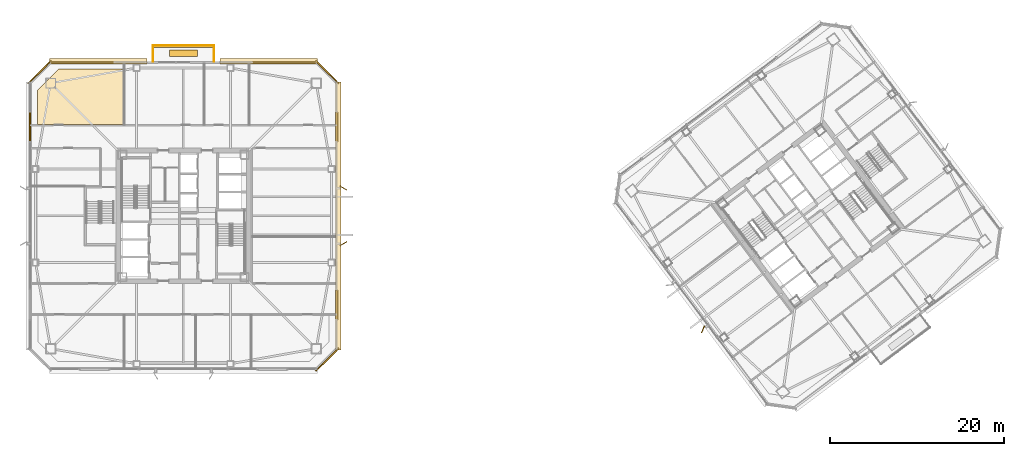
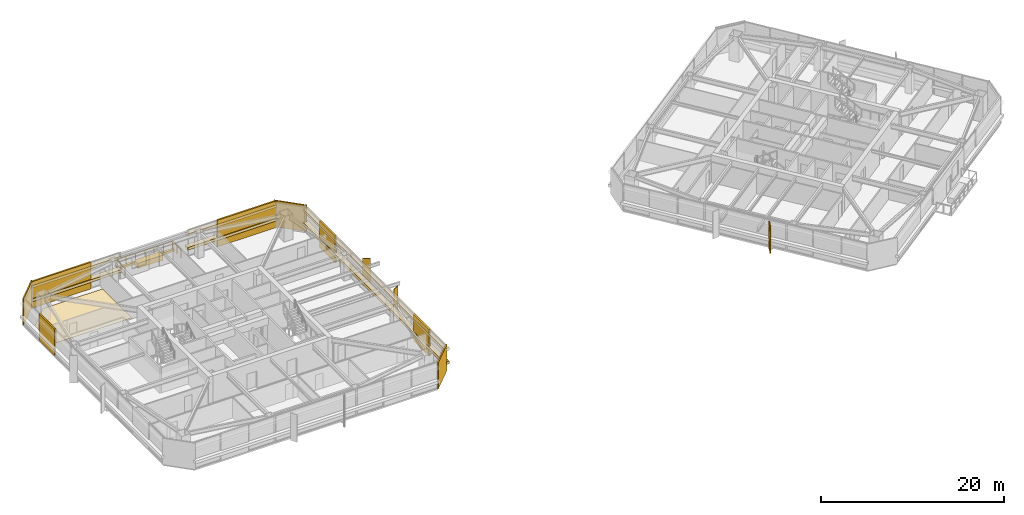
# One storey, part 43 of 46: 17 coverings, 3 railings, 3 shading devices.
"""IFC4 building model written with IfcOpenShell, lengths in metres."""

from ifc_helpers import new_model, si_unit, direction, frame, origin, origin_2d, place, context, subcontext, project, spatial, polyline, rectangle, outline, extrude, material, layer, layer_set, type_object, element, save


model = new_model("IFC4")

# Units and contexts
model_context = context("Model", 3, precision=1e-05, world=origin(), true_north=direction((0.0, 1.0)))
body_context = subcontext(model_context, "Body", "Model", "MODEL_VIEW")
ifc_project = project(units=[si_unit("LENGTHUNIT", "METRE"), si_unit("AREAUNIT", "SQUARE_METRE"), si_unit("VOLUMEUNIT", "CUBIC_METRE"), si_unit("PLANEANGLEUNIT", "RADIAN"), si_unit("MASSUNIT", "GRAM", prefix="KILO")], contexts=[model_context])

# Site, building, storey
site_placement = place(None, origin())
site = spatial("IfcSite", under=ifc_project, at=site_placement, CompositionType="ELEMENT")
building_placement = place(site_placement, origin())
building = spatial("IfcBuilding", under=site, at=building_placement, Name="Tashvorn Skyway Center", CompositionType="ELEMENT")
storey_placement = place(building_placement, frame((0.0, 0.0, 167.64990234375)))
storey = spatial("IfcBuildingStorey", under=building, at=storey_placement, Name="L45", CompositionType="ELEMENT", Elevation=167.64990234375)

# Coverings
ifc_material_1 = material(Name="Precast concrete C40/50", Category="concrete")
ifc_layer_1 = layer(ifc_material_1, 0.199951171875)
ifc_layer_set_1 = layer_set([ifc_layer_1], Name="Precast concrete C40/50")
covering_type_1 = type_object("IfcCoveringType", Name="COV-BRACE-CLAD", PredefinedType="CLADDING", material=ifc_layer_set_1)
covering_1_placement = place(storey_placement, frame((24.320068359375, 42.25341796875, 0.0), z_axis=(0.0, 0.0, 1.0), x_axis=(0.0, 1.0, 0.0)))
element("IfcCovering", 1, at=covering_1_placement, inside=storey, type_object=covering_type_1, Name="Tower 1 L45 West Unitised Curtain Wall Mega-Brace Cladding Band 2", PredefinedType="CLADDING", context=body_context, shape_type="SweptSolid", body=[
    extrude(rectangle(XDim=3.417724609375, YDim=0.199951171875, at=origin_2d()), origin(), (0.0, 0.0, 1.0), 3.550048828125),
])
for number, where, z_axis, x_axis, name in (
    (2, (30.330078125, 49.679931640625, 0.0), (0.0, 0.0, 1.0), (1.0, 0.0, 0.0), "Tower 1 L45 North Curtain Wall L Mega-Brace Cladding Band 1"),
    (3, (53.669921875, 49.679931640625, 0.0), (0.0, 0.0, 1.0), (1.0, 0.0, 0.0), "Tower 1 L45 North Curtain Wall R Mega-Brace Cladding Band 1"),
):
    element("IfcCovering", number, at=place(storey_placement, frame(where, z_axis=z_axis, x_axis=x_axis)), inside=storey, type_object=covering_type_1, Name=name, PredefinedType="CLADDING", context=body_context, shape_type="SweptSolid", body=[
        extrude(rectangle(XDim=7.419921875, YDim=0.199951171875, at=origin_2d()), origin(), (0.0, 0.0, 1.0), 3.550048828125),
    ])
for number, where, z_axis, x_axis, name in (
    (4, (59.679931640625, 42.25341796875, 0.0), (0.0, 0.0, 1.0), (0.0, -1.0, 0.0), "Tower 1 L45 East Unitised Curtain Wall Mega-Brace Cladding Band 1"),
    (5, (59.679931640625, 21.74658203125, 0.0), (0.0, 0.0, 1.0), (0.0, -1.0, 0.0), "Tower 1 L45 East Unitised Curtain Wall Mega-Brace Cladding Band 2"),
):
    element("IfcCovering", number, at=place(storey_placement, frame(where, z_axis=z_axis, x_axis=x_axis)), inside=storey, type_object=covering_type_1, Name=name, PredefinedType="CLADDING", context=body_context, shape_type="SweptSolid", body=[
        extrude(rectangle(XDim=3.417724609375, YDim=0.199951171875, at=origin_2d()), origin(), (0.0, 0.0, 1.0), 3.550048828125),
    ])
ifc_material_2 = material(Name="Polished Mojave desert-aggregate terrazzo and cover plate")
ifc_layer_2 = layer(ifc_material_2, 0.0400390625)
ifc_layer_set_2 = layer_set([ifc_layer_2], Name="Polished Mojave desert-aggregate terrazzo and cover plate")
covering_type_2 = type_object("IfcCoveringType", Name="COV-FLR-40", PredefinedType="FLOORING", material=ifc_layer_set_2)
covering_2_placement = place(storey_placement, origin())
element("IfcCovering", 6, at=covering_2_placement, inside=storey, type_object=covering_type_2, Name="Tower 1 L45 Gallery Showroom Finish Flooring", PredefinedType="FLOORING", context=body_context, shape_type="SweptSolid", body=[
    extrude(outline(polyline([(35.1201171875, 42.530029296875), (25.179931640625, 42.530029296875), (25.179931640625, 46.47998046875), (27.60009765625, 48.89990234375), (35.1201171875, 48.89990234375), (35.1201171875, 42.530029296875)])), origin(), (0.0, 0.0, 1.0), 0.0400390625),
])
ifc_material_3 = material(Name="Perforated ceramic-coated bronze aluminium solar screen", Category="aluminium")
ifc_layer_3 = layer(ifc_material_3, 0.85009765625)
ifc_layer_set_3 = layer_set([ifc_layer_3], Name="Perforated ceramic-coated bronze aluminium solar screen")
covering_type_3 = type_object("IfcCoveringType", Name="COV-SOLAR-BAND", PredefinedType="CLADDING", material=ifc_layer_set_3)
for number, where, z_axis, x_axis, name in (
    (7, (32.18505859375, 49.820068359375, 0.919921875), (0.0, 0.0, 1.0), (1.0, 0.0, 0.0), "L45 Perforated Ceramic-Metal Solar Screen Louvre Band North 1"),
    (8, (32.18505859375, 49.820068359375, 2.72021484375), (0.0, 0.0, 1.0), (1.0, 0.0, 0.0), "L45 Perforated Ceramic-Metal Solar Screen Louvre Band North 2"),
    (9, (51.81494140625, 49.820068359375, 0.919921875), (0.0, 0.0, 1.0), (1.0, 0.0, 0.0), "L45 Perforated Ceramic-Metal Solar Screen Louvre Band North 1"),
    (10, (51.81494140625, 49.820068359375, 2.72021484375), (0.0, 0.0, 1.0), (1.0, 0.0, 0.0), "L45 Perforated Ceramic-Metal Solar Screen Louvre Band North 2"),
):
    element("IfcCovering", number, at=place(storey_placement, frame(where, z_axis=z_axis, x_axis=x_axis)), inside=storey, type_object=covering_type_3, Name=name, PredefinedType="CLADDING", context=body_context, shape_type="SweptSolid", body=[
        extrude(rectangle(XDim=11.25, YDim=0.639892578125, at=origin_2d()), origin(), (0.0, 0.0, 1.0), 0.360107421875),
    ])
for number, where, z_axis, x_axis, name in (
    (11, (59.820068359375, 32.0, 0.919921875), (0.0, 0.0, 1.0), (0.0, -1.0, 0.0), "L45 Perforated Ceramic-Metal Solar Screen Louvre Band East 1"),
    (12, (59.820068359375, 32.0, 2.72021484375), (0.0, 0.0, 1.0), (0.0, -1.0, 0.0), "L45 Perforated Ceramic-Metal Solar Screen Louvre Band East 2"),
):
    element("IfcCovering", number, at=place(storey_placement, frame(where, z_axis=z_axis, x_axis=x_axis)), inside=storey, type_object=covering_type_3, Name=name, PredefinedType="CLADDING", context=body_context, shape_type="SweptSolid", body=[
        extrude(rectangle(XDim=30.8798828125, YDim=0.639892578125, at=origin_2d()), origin(), (0.0, 0.0, 1.0), 0.360107421875),
    ])
ifc_layer_4 = layer(ifc_material_1, 0.35009765625)
ifc_layer_set_4 = layer_set([ifc_layer_4], Name="Precast concrete C40/50")
covering_type_4 = type_object("IfcCoveringType", Name="COV-STONE-TRIM", PredefinedType="CLADDING", material=ifc_layer_set_4)
covering_3_placement = place(storey_placement, frame((42.0, 51.56005859375, -0.16015625), z_axis=(0.0, 0.0, 1.0), x_axis=(1.0, 0.0, 0.0)))
element("IfcCovering", 13, at=covering_3_placement, inside=storey, type_object=covering_type_4, Name="Tower 1 L45 Spiral Terrace Terracotta Fascia", PredefinedType="CLADDING", context=body_context, shape_type="SweptSolid", body=[
    extrude(rectangle(XDim=7.199951171875, YDim=0.280029296875, at=origin_2d()), origin(), (0.0, 0.0, 1.0), 0.280029296875),
])
covering_4_placement = place(storey_placement, frame((42.0, 50.75, 0.0), z_axis=(0.0, 0.0, 1.0), x_axis=(1.0, 0.0, 0.0)))
element("IfcCovering", 14, at=covering_4_placement, inside=storey, type_object=covering_type_4, Name="Tower 1 L45 Spiral Terrace Planter", PredefinedType="CLADDING", context=body_context, shape_type="SweptSolid", body=[
    extrude(rectangle(XDim=3.199951171875, YDim=0.75, at=origin_2d()), origin(), (0.0, 0.0, 1.0), 0.679931640625),
])
for number, where, z_axis, x_axis, name in (
    (15, (25.429931640625, 48.570068359375, 0.02001953125), (0.0, 0.0, 1.0), (-0.707106781187, -0.707106781187, 0.0), "Tower 1 L45 NW Mojave Limestone Corner Quoin"),
    (16, (58.570068359375, 48.570068359375, 0.02001953125), (0.0, 0.0, 1.0), (0.707106781187, -0.707106781187, 0.0), "Tower 1 L45 NE Mojave Limestone Corner Quoin"),
    (17, (58.570068359375, 15.429931640625, 0.02001953125), (0.0, 0.0, 1.0), (0.707106781187, 0.707106781187, 0.0), "Tower 1 L45 SE Mojave Limestone Corner Quoin"),
):
    element("IfcCovering", number, at=place(storey_placement, frame(where, z_axis=z_axis, x_axis=x_axis)), inside=storey, type_object=covering_type_4, Name=name, PredefinedType="CLADDING", context=body_context, shape_type="SweptSolid", body=[
        extrude(rectangle(XDim=3.695556640625, YDim=0.139892578125, at=origin_2d()), origin(), (0.0, 0.0, 1.0), 3.510009765625),
    ])

# Railings
ifc_material_4 = material(Name="Galvanized steel S355", Category="steel")
railing_type = type_object("IfcRailingType", Name="RAIL-GUARD-1120", PredefinedType="GUARDRAIL", material=ifc_material_4)
railing_1_placement = place(storey_placement, frame((38.47998046875, 49.800048828125, 0.0)))
element("IfcRailing", 18, at=railing_1_placement, inside=storey, type_object=railing_type, Name="L45 Tower 1 Terrace Guardrail 01", PredefinedType="GUARDRAIL", context=body_context, shape_type="SweptSolid", body=[
    extrude(rectangle(XDim=0.048095703125, YDim=0.048095703125, at=origin_2d()), frame((0.0, 0.0, 1.09619140625), z_axis=(0.0, 1.0, 0.0), x_axis=(-1.0, 0.0, 0.0)), (0.0, 0.0, 1.0), 1.820068359375),
    extrude(rectangle(XDim=0.0419921875, YDim=0.0419921875, at=origin_2d()), origin(), (0.0, 0.0, 1.0), 1.072021484375),
    extrude(rectangle(XDim=0.0419921875, YDim=0.0419921875, at=origin_2d()), frame((0.0, 0.91015625, 0.0)), (0.0, 0.0, 1.0), 1.072021484375),
    extrude(rectangle(XDim=0.0419921875, YDim=0.0419921875, at=origin_2d()), frame((0.0, 1.820068359375, 0.0)), (0.0, 0.0, 1.0), 1.072021484375),
])
railing_2_placement = place(storey_placement, frame((38.47998046875, 51.6201171875, 0.0)))
element("IfcRailing", 19, at=railing_2_placement, inside=storey, type_object=railing_type, Name="L45 Tower 1 Terrace Guardrail 02", PredefinedType="GUARDRAIL", context=body_context, shape_type="SweptSolid", body=[
    extrude(rectangle(XDim=0.048095703125, YDim=0.048095703125, at=origin_2d()), frame((0.0, 0.0, 1.09619140625), z_axis=(1.0, 0.0, 0.0), x_axis=(0.0, 1.0, 0.0)), (0.0, 0.0, 1.0), 7.0400390625),
    extrude(rectangle(XDim=0.0419921875, YDim=0.0419921875, at=origin_2d()), origin(), (0.0, 0.0, 1.0), 1.072021484375),
    extrude(rectangle(XDim=0.0419921875, YDim=0.0419921875, at=origin_2d()), frame((1.17333984375, 0.0, 0.0)), (0.0, 0.0, 1.0), 1.072021484375),
    extrude(rectangle(XDim=0.0419921875, YDim=0.0419921875, at=origin_2d()), frame((2.3466796875, 0.0, 0.0)), (0.0, 0.0, 1.0), 1.072021484375),
    extrude(rectangle(XDim=0.0419921875, YDim=0.0419921875, at=origin_2d()), frame((3.52001953125, 0.0, 0.0)), (0.0, 0.0, 1.0), 1.072021484375),
    extrude(rectangle(XDim=0.0419921875, YDim=0.0419921875, at=origin_2d()), frame((4.693359375, 0.0, 0.0)), (0.0, 0.0, 1.0), 1.072021484375),
    extrude(rectangle(XDim=0.0419921875, YDim=0.0419921875, at=origin_2d()), frame((5.86669921875, 0.0, 0.0)), (0.0, 0.0, 1.0), 1.072021484375),
    extrude(rectangle(XDim=0.0419921875, YDim=0.0419921875, at=origin_2d()), frame((7.0400390625, 0.0, 0.0)), (0.0, 0.0, 1.0), 1.072021484375),
])
railing_3_placement = place(storey_placement, frame((45.52001953125, 51.6201171875, 0.0)))
element("IfcRailing", 20, at=railing_3_placement, inside=storey, type_object=railing_type, Name="L45 Tower 1 Terrace Guardrail 03", PredefinedType="GUARDRAIL", context=body_context, shape_type="SweptSolid", body=[
    extrude(rectangle(XDim=0.048095703125, YDim=0.048095703125, at=origin_2d()), frame((0.0, 0.0, 1.09619140625), z_axis=(0.0, -1.0, 0.0), x_axis=(1.0, 0.0, 0.0)), (0.0, 0.0, 1.0), 1.820068359375),
    extrude(rectangle(XDim=0.0419921875, YDim=0.0419921875, at=origin_2d()), origin(), (0.0, 0.0, 1.0), 1.072021484375),
    extrude(rectangle(XDim=0.0419921875, YDim=0.0419921875, at=origin_2d()), frame((0.0, -0.91015625, 0.0)), (0.0, 0.0, 1.0), 1.072021484375),
    extrude(rectangle(XDim=0.0419921875, YDim=0.0419921875, at=origin_2d()), frame((0.0, -1.820068359375, 0.0)), (0.0, 0.0, 1.0), 1.072021484375),
])

# Shading devices
ifc_layer_5 = layer(ifc_material_3, 0.06005859375)
ifc_layer_set_5 = layer_set([ifc_layer_5], Name="Perforated ceramic-coated bronze aluminium solar screen")
shading_device_type = type_object("IfcShadingDeviceType", Name="SHD-SOLAR-850", PredefinedType="USERDEFINED", material=ifc_layer_set_5)
for number, where, z_axis, x_axis, name in (
    (21, (60.449951171875, 28.800048828125, -0.099853515625), (0.0, 0.0, 1.0), (0.5, -0.866025403784, 0.0), "Tower 1 L45 Perforated Ceramic-Metal Solar Screen E1"),
    (22, (60.449951171875, 35.199951171875, -0.099853515625), (0.0, 0.0, 1.0), (-0.5, -0.866025403784, 0.0), "Tower 1 L45 Perforated Ceramic-Metal Solar Screen E2"),
    (23, (101.8798828125, 18.909912109375, -0.099853515625), (0.0, 0.0, 1.0), (-0.919615244699, 0.392820317343, 0.0), "Tower 2 L45 Perforated Ceramic-Metal Solar Screen W1"),
):
    element("IfcShadingDevice", number, at=place(storey_placement, frame(where, z_axis=z_axis, x_axis=x_axis)), inside=storey, type_object=shading_device_type, Name=name, ObjectType="SCREEN", PredefinedType="USERDEFINED", context=body_context, shape_type="SweptSolid", body=[
        extrude(rectangle(XDim=0.080078125, YDim=0.85009765625, at=origin_2d()), origin(), (0.0, 0.0, 1.0), 3.64990234375),
    ])

save(model, "model.ifc")
